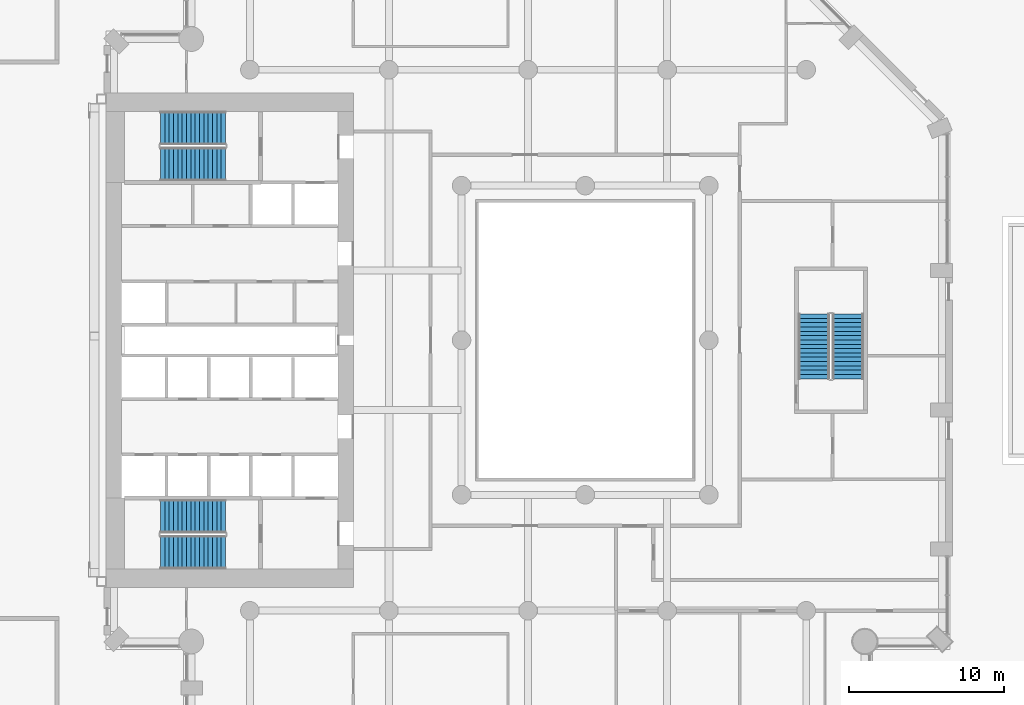
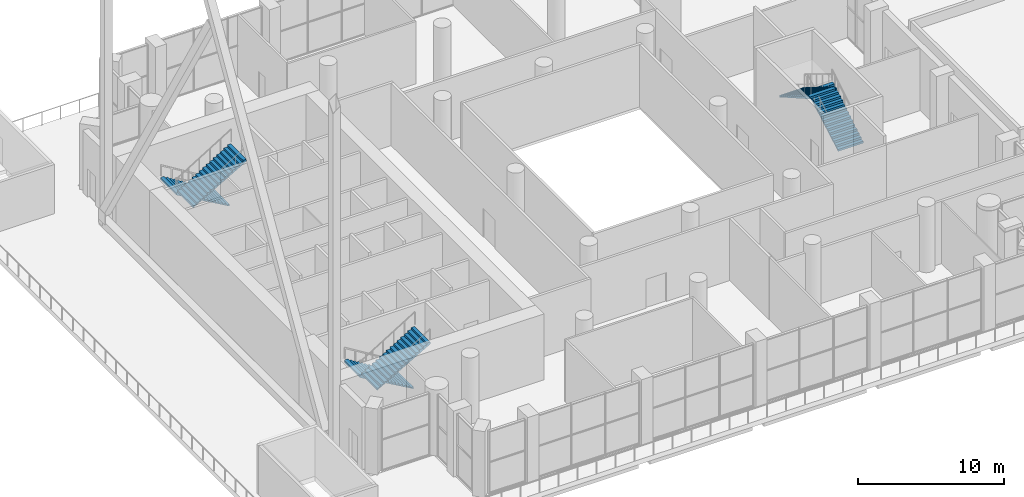
# One storey, part 20 of 26: 6 stair flights, 3 elements without a shape of their own.
"""IFC4 building model written with IfcOpenShell, lengths in metres."""

from ifc_helpers import new_model, si_unit, direction, frame, origin, place, context, subcontext, project, spatial, triangles, material, type_object, element, aggregate, save


model = new_model("IFC4")

# Units and contexts
model_context = context("Model", 3, precision=1e-05, world=origin(), true_north=direction((0.0, 1.0)))
body_context = subcontext(model_context, "Body", "Model", "MODEL_VIEW")
ifc_project = project(units=[si_unit("LENGTHUNIT", "METRE"), si_unit("AREAUNIT", "SQUARE_METRE"), si_unit("VOLUMEUNIT", "CUBIC_METRE"), si_unit("PLANEANGLEUNIT", "RADIAN"), si_unit("MASSUNIT", "GRAM", prefix="KILO")], contexts=[model_context])

# Site, building, storey
site_placement = place(None, origin())
site = spatial("IfcSite", under=ifc_project, at=site_placement, CompositionType="ELEMENT")
building_placement = place(site_placement, origin())
building = spatial("IfcBuilding", under=site, at=building_placement, Name="Cypress Arch Tower", CompositionType="ELEMENT")
storey_placement = place(building_placement, frame((0.0, 0.0, 50.0)))
storey = spatial("IfcBuildingStorey", under=building, at=storey_placement, Name="L06", CompositionType="ELEMENT", Elevation=50.0)

# Stair, stair flights
ifc_material_1 = material(Name="Concrete C40/50", Category="concrete")
stair_type_1 = type_object("IfcStairType", Name="Exit stair ES1719-200", PredefinedType="HALF_TURN_STAIR", material=ifc_material_1)
stair_1_placement = place(storey_placement, origin())
stair_1 = element("IfcStair", 1, at=stair_1_placement, inside=storey, type_object=stair_type_1, Name="L06 Exit stair C", PredefinedType="HALF_TURN_STAIR")
ifc_material_2 = material(Name="Concrete C40/50", Category="concrete")
stair_flight_type_1 = type_object("IfcStairFlightType", Name="Exit stair flight ES1719-200", PredefinedType="STRAIGHT", material=ifc_material_2)
stair_flight_1_placement = place(storey_placement, frame((18.0, -2.5, 0.0), z_axis=(0.0, 0.0, 1.0), x_axis=(0.0, 1.0, 0.0)))
stair_flight_1 = element("IfcStairFlight", 2, at=stair_flight_1_placement, type_object=stair_flight_type_1, Name="C flight 1", NumberOfRisers=16, NumberOfTreads=15, PredefinedType="STRAIGHT", RiserHeight=0.171875, TreadLength=0.28, context=body_context, shape_type="Tessellation", body=[
    triangles([(0.0, -1.0, 0.0), (0.0, -1.0, 0.171875), (0.280029296875, -1.0, 0.171875), (0.280029296875, -1.0, 0.34375), (0.56005859375, -1.0, 0.34375), (0.56005859375, -1.0, 0.515625), (0.840087890625, -1.0, 0.515625), (0.840087890625, -1.0, 0.6875), (1.1201171875, -1.0, 0.6875), (1.1201171875, -1.0, 0.859375), (1.39990234375, -1.0, 0.859375), (1.39990234375, -1.0, 1.03125), (1.679931640625, -1.0, 1.03125), (1.679931640625, -1.0, 1.203125), (1.9599609375, -1.0, 1.203125), (1.9599609375, -1.0, 1.375), (2.239990234375, -1.0, 1.375), (2.239990234375, -1.0, 1.546875), (2.52001953125, -1.0, 1.546875), (2.52001953125, -1.0, 1.71875), (2.800048828125, -1.0, 1.71875), (2.800048828125, -1.0, 1.890625), (3.080078125, -1.0, 1.890625), (3.080078125, -1.0, 2.0625), (3.360107421875, -1.0, 2.0625), (3.360107421875, -1.0, 2.234375), (3.639892578125, -1.0, 2.234375), (3.639892578125, -1.0, 2.40625), (3.919921875, -1.0, 2.40625), (3.919921875, -1.0, 2.578125), (4.199951171875, -1.0, 2.578125), (4.199951171875, -1.0, 2.40234375), (4.199951171875, 1.0, 2.40234375), (4.199951171875, 1.0, 2.578125), (3.919921875, 1.0, 2.578125), (3.919921875, 1.0, 2.40625), (3.639892578125, 1.0, 2.40625), (3.639892578125, 1.0, 2.234375), (3.360107421875, 1.0, 2.234375), (3.360107421875, 1.0, 2.0625), (3.080078125, 1.0, 2.0625), (3.080078125, 1.0, 1.890625), (2.800048828125, 1.0, 1.890625), (2.800048828125, 1.0, 1.71875), (2.52001953125, 1.0, 1.71875), (2.52001953125, 1.0, 1.546875), (2.239990234375, 1.0, 1.546875), (2.239990234375, 1.0, 1.375), (1.9599609375, 1.0, 1.375), (1.9599609375, 1.0, 1.203125), (1.679931640625, 1.0, 1.203125), (1.679931640625, 1.0, 1.03125), (1.39990234375, 1.0, 1.03125), (1.39990234375, 1.0, 0.859375), (1.1201171875, 1.0, 0.859375), (1.1201171875, 1.0, 0.6875), (0.840087890625, 1.0, 0.6875), (0.840087890625, 1.0, 0.515625), (0.56005859375, 1.0, 0.515625), (0.56005859375, 1.0, 0.34375), (0.280029296875, 1.0, 0.34375), (0.280029296875, 1.0, 0.171875), (0.0, 1.0, 0.171875), (0.0, 1.0, 0.0)], [[32, 31, 30], [27, 26, 25], [11, 10, 9], [29, 28, 27], [25, 24, 23], [23, 22, 21], [21, 20, 19], [19, 18, 17], [17, 16, 15], [15, 14, 13], [13, 12, 11], [9, 8, 7], [7, 6, 5], [5, 4, 3], [3, 2, 1], [32, 30, 29], [32, 29, 27], [32, 27, 25], [32, 25, 23], [32, 23, 21], [32, 21, 19], [32, 19, 17], [32, 17, 15], [32, 15, 13], [32, 13, 11], [32, 11, 9], [32, 9, 7], [32, 7, 5], [32, 5, 3], [32, 3, 1], [33, 35, 34], [38, 40, 39], [54, 56, 55], [36, 38, 37], [40, 42, 41], [42, 44, 43], [44, 46, 45], [46, 48, 47], [48, 50, 49], [50, 52, 51], [52, 54, 53], [56, 58, 57], [58, 60, 59], [60, 62, 61], [62, 64, 63], [33, 36, 35], [33, 38, 36], [33, 40, 38], [33, 42, 40], [33, 44, 42], [33, 46, 44], [33, 48, 46], [33, 50, 48], [33, 52, 50], [33, 54, 52], [33, 56, 54], [33, 58, 56], [33, 60, 58], [33, 62, 60], [33, 64, 62], [33, 34, 31], [33, 31, 32], [34, 35, 30], [34, 30, 31], [35, 36, 29], [35, 29, 30], [36, 37, 28], [36, 28, 29], [37, 38, 27], [37, 27, 28], [38, 39, 26], [38, 26, 27], [39, 40, 25], [39, 25, 26], [40, 41, 24], [40, 24, 25], [41, 42, 23], [41, 23, 24], [42, 43, 22], [42, 22, 23], [43, 44, 21], [43, 21, 22], [44, 45, 20], [44, 20, 21], [45, 46, 19], [45, 19, 20], [46, 47, 18], [46, 18, 19], [47, 48, 17], [47, 17, 18], [48, 49, 16], [48, 16, 17], [49, 50, 15], [49, 15, 16], [50, 51, 14], [50, 14, 15], [51, 52, 13], [51, 13, 14], [52, 53, 12], [52, 12, 13], [53, 54, 11], [53, 11, 12], [54, 55, 10], [54, 10, 11], [55, 56, 9], [55, 9, 10], [56, 57, 8], [56, 8, 9], [57, 58, 7], [57, 7, 8], [58, 59, 6], [58, 6, 7], [59, 60, 5], [59, 5, 6], [60, 61, 4], [60, 4, 5], [61, 62, 3], [61, 3, 4], [62, 63, 2], [62, 2, 3], [63, 64, 1], [63, 1, 2], [64, 33, 32], [64, 32, 1]], closed=True),
])
stair_flight_2_placement = place(storey_placement, frame((15.800048828125, 1.699951171875, 2.75), z_axis=(0.0, 0.0, 1.0), x_axis=(0.0, -1.0, 0.0)))
stair_flight_2 = element("IfcStairFlight", 3, at=stair_flight_2_placement, type_object=stair_flight_type_1, Name="C flight 2", NumberOfRisers=16, NumberOfTreads=15, PredefinedType="STRAIGHT", RiserHeight=0.171875, TreadLength=0.28, context=body_context, shape_type="Tessellation", body=[
    triangles([(0.0, -1.0, 0.0), (0.0, -1.0, 0.171875), (0.280029296875, -1.0, 0.171875), (0.280029296875, -1.0, 0.34375), (0.56005859375, -1.0, 0.34375), (0.56005859375, -1.0, 0.515625), (0.840087890625, -1.0, 0.515625), (0.840087890625, -1.0, 0.6875), (1.1201171875, -1.0, 0.6875), (1.1201171875, -1.0, 0.859375), (1.39990234375, -1.0, 0.859375), (1.39990234375, -1.0, 1.03125), (1.679931640625, -1.0, 1.03125), (1.679931640625, -1.0, 1.203125), (1.9599609375, -1.0, 1.203125), (1.9599609375, -1.0, 1.375), (2.239990234375, -1.0, 1.375), (2.239990234375, -1.0, 1.546875), (2.52001953125, -1.0, 1.546875), (2.52001953125, -1.0, 1.71875), (2.800048828125, -1.0, 1.71875), (2.800048828125, -1.0, 1.890625), (3.080078125, -1.0, 1.890625), (3.080078125, -1.0, 2.0625), (3.360107421875, -1.0, 2.0625), (3.360107421875, -1.0, 2.234375), (3.639892578125, -1.0, 2.234375), (3.639892578125, -1.0, 2.40625), (3.919921875, -1.0, 2.40625), (3.919921875, -1.0, 2.578125), (4.199951171875, -1.0, 2.578125), (4.199951171875, -1.0, 2.40234375), (4.199951171875, 1.0, 2.40234375), (4.199951171875, 1.0, 2.578125), (3.919921875, 1.0, 2.578125), (3.919921875, 1.0, 2.40625), (3.639892578125, 1.0, 2.40625), (3.639892578125, 1.0, 2.234375), (3.360107421875, 1.0, 2.234375), (3.360107421875, 1.0, 2.0625), (3.080078125, 1.0, 2.0625), (3.080078125, 1.0, 1.890625), (2.800048828125, 1.0, 1.890625), (2.800048828125, 1.0, 1.71875), (2.52001953125, 1.0, 1.71875), (2.52001953125, 1.0, 1.546875), (2.239990234375, 1.0, 1.546875), (2.239990234375, 1.0, 1.375), (1.9599609375, 1.0, 1.375), (1.9599609375, 1.0, 1.203125), (1.679931640625, 1.0, 1.203125), (1.679931640625, 1.0, 1.03125), (1.39990234375, 1.0, 1.03125), (1.39990234375, 1.0, 0.859375), (1.1201171875, 1.0, 0.859375), (1.1201171875, 1.0, 0.6875), (0.840087890625, 1.0, 0.6875), (0.840087890625, 1.0, 0.515625), (0.56005859375, 1.0, 0.515625), (0.56005859375, 1.0, 0.34375), (0.280029296875, 1.0, 0.34375), (0.280029296875, 1.0, 0.171875), (0.0, 1.0, 0.171875), (0.0, 1.0, 0.0)], [[32, 31, 30], [27, 26, 25], [11, 10, 9], [29, 28, 27], [25, 24, 23], [23, 22, 21], [21, 20, 19], [19, 18, 17], [17, 16, 15], [15, 14, 13], [13, 12, 11], [9, 8, 7], [7, 6, 5], [5, 4, 3], [3, 2, 1], [32, 30, 29], [32, 29, 27], [32, 27, 25], [32, 25, 23], [32, 23, 21], [32, 21, 19], [32, 19, 17], [32, 17, 15], [32, 15, 13], [32, 13, 11], [32, 11, 9], [32, 9, 7], [32, 7, 5], [32, 5, 3], [32, 3, 1], [33, 35, 34], [38, 40, 39], [54, 56, 55], [36, 38, 37], [40, 42, 41], [42, 44, 43], [44, 46, 45], [46, 48, 47], [48, 50, 49], [50, 52, 51], [52, 54, 53], [56, 58, 57], [58, 60, 59], [60, 62, 61], [62, 64, 63], [33, 36, 35], [33, 38, 36], [33, 40, 38], [33, 42, 40], [33, 44, 42], [33, 46, 44], [33, 48, 46], [33, 50, 48], [33, 52, 50], [33, 54, 52], [33, 56, 54], [33, 58, 56], [33, 60, 58], [33, 62, 60], [33, 64, 62], [33, 34, 31], [33, 31, 32], [34, 35, 30], [34, 30, 31], [35, 36, 29], [35, 29, 30], [36, 37, 28], [36, 28, 29], [37, 38, 27], [37, 27, 28], [38, 39, 26], [38, 26, 27], [39, 40, 25], [39, 25, 26], [40, 41, 24], [40, 24, 25], [41, 42, 23], [41, 23, 24], [42, 43, 22], [42, 22, 23], [43, 44, 21], [43, 21, 22], [44, 45, 20], [44, 20, 21], [45, 46, 19], [45, 19, 20], [46, 47, 18], [46, 18, 19], [47, 48, 17], [47, 17, 18], [48, 49, 16], [48, 16, 17], [49, 50, 15], [49, 15, 16], [50, 51, 14], [50, 14, 15], [51, 52, 13], [51, 13, 14], [52, 53, 12], [52, 12, 13], [53, 54, 11], [53, 11, 12], [54, 55, 10], [54, 10, 11], [55, 56, 9], [55, 9, 10], [56, 57, 8], [56, 8, 9], [57, 58, 7], [57, 7, 8], [58, 59, 6], [58, 6, 7], [59, 60, 5], [59, 5, 6], [60, 61, 4], [60, 4, 5], [61, 62, 3], [61, 3, 4], [62, 63, 2], [62, 2, 3], [63, 64, 1], [63, 1, 2], [64, 33, 32], [64, 32, 1]], closed=True),
])
aggregate(stair_1, [stair_flight_1, stair_flight_2])

ifc_material_3 = material(Name="Concrete C40/50", Category="concrete")
stair_type_2 = type_object("IfcStairType", Name="Exit stair ES1719-215", PredefinedType="HALF_TURN_STAIR", material=ifc_material_3)
stair_2_placement = place(storey_placement, origin())
stair_2 = element("IfcStair", 4, at=stair_2_placement, inside=storey, type_object=stair_type_2, Name="L06 Exit stair A", PredefinedType="HALF_TURN_STAIR")
ifc_material_4 = material(Name="Concrete C40/50", Category="concrete")
stair_flight_type_2 = type_object("IfcStairFlightType", Name="Exit stair flight ES1719-215", PredefinedType="STRAIGHT", material=ifc_material_4)
stair_flight_3_placement = place(storey_placement, frame((-22.27490234375, -11.39990234375, 0.0), z_axis=(0.0, 0.0, 1.0), x_axis=(-1.0, 0.0, 0.0)))
stair_flight_3 = element("IfcStairFlight", 5, at=stair_flight_3_placement, type_object=stair_flight_type_2, Name="A flight 1", NumberOfRisers=16, NumberOfTreads=15, PredefinedType="STRAIGHT", RiserHeight=0.171875, TreadLength=0.28, context=body_context, shape_type="Tessellation", body=[
    triangles([(0.0, -1.074951171875, 0.0), (0.0, -1.074951171875, 0.171875), (0.280029296875, -1.074951171875, 0.171875), (0.280029296875, -1.074951171875, 0.34375), (0.56005859375, -1.074951171875, 0.34375), (0.56005859375, -1.074951171875, 0.515625), (0.840087890625, -1.074951171875, 0.515625), (0.840087890625, -1.074951171875, 0.6875), (1.1201171875, -1.074951171875, 0.6875), (1.1201171875, -1.074951171875, 0.859375), (1.39990234375, -1.074951171875, 0.859375), (1.39990234375, -1.074951171875, 1.03125), (1.679931640625, -1.074951171875, 1.03125), (1.679931640625, -1.074951171875, 1.203125), (1.9599609375, -1.074951171875, 1.203125), (1.9599609375, -1.074951171875, 1.375), (2.239990234375, -1.074951171875, 1.375), (2.239990234375, -1.074951171875, 1.546875), (2.52001953125, -1.074951171875, 1.546875), (2.52001953125, -1.074951171875, 1.71875), (2.800048828125, -1.074951171875, 1.71875), (2.800048828125, -1.074951171875, 1.890625), (3.080078125, -1.074951171875, 1.890625), (3.080078125, -1.074951171875, 2.0625), (3.360107421875, -1.074951171875, 2.0625), (3.360107421875, -1.074951171875, 2.234375), (3.639892578125, -1.074951171875, 2.234375), (3.639892578125, -1.074951171875, 2.40625), (3.919921875, -1.074951171875, 2.40625), (3.919921875, -1.074951171875, 2.578125), (4.199951171875, -1.074951171875, 2.578125), (4.199951171875, -1.074951171875, 2.40234375), (4.199951171875, 1.074951171875, 2.40234375), (4.199951171875, 1.074951171875, 2.578125), (3.919921875, 1.074951171875, 2.578125), (3.919921875, 1.074951171875, 2.40625), (3.639892578125, 1.074951171875, 2.40625), (3.639892578125, 1.074951171875, 2.234375), (3.360107421875, 1.074951171875, 2.234375), (3.360107421875, 1.074951171875, 2.0625), (3.080078125, 1.074951171875, 2.0625), (3.080078125, 1.074951171875, 1.890625), (2.800048828125, 1.074951171875, 1.890625), (2.800048828125, 1.074951171875, 1.71875), (2.52001953125, 1.074951171875, 1.71875), (2.52001953125, 1.074951171875, 1.546875), (2.239990234375, 1.074951171875, 1.546875), (2.239990234375, 1.074951171875, 1.375), (1.9599609375, 1.074951171875, 1.375), (1.9599609375, 1.074951171875, 1.203125), (1.679931640625, 1.074951171875, 1.203125), (1.679931640625, 1.074951171875, 1.03125), (1.39990234375, 1.074951171875, 1.03125), (1.39990234375, 1.074951171875, 0.859375), (1.1201171875, 1.074951171875, 0.859375), (1.1201171875, 1.074951171875, 0.6875), (0.840087890625, 1.074951171875, 0.6875), (0.840087890625, 1.074951171875, 0.515625), (0.56005859375, 1.074951171875, 0.515625), (0.56005859375, 1.074951171875, 0.34375), (0.280029296875, 1.074951171875, 0.34375), (0.280029296875, 1.074951171875, 0.171875), (0.0, 1.074951171875, 0.171875), (0.0, 1.074951171875, 0.0)], [[32, 31, 30], [27, 26, 25], [11, 10, 9], [29, 28, 27], [25, 24, 23], [23, 22, 21], [21, 20, 19], [19, 18, 17], [17, 16, 15], [15, 14, 13], [13, 12, 11], [9, 8, 7], [7, 6, 5], [5, 4, 3], [3, 2, 1], [32, 30, 29], [32, 29, 27], [32, 27, 25], [32, 25, 23], [32, 23, 21], [32, 21, 19], [32, 19, 17], [32, 17, 15], [32, 15, 13], [32, 13, 11], [32, 11, 9], [32, 9, 7], [32, 7, 5], [32, 5, 3], [32, 3, 1], [33, 35, 34], [38, 40, 39], [54, 56, 55], [36, 38, 37], [40, 42, 41], [42, 44, 43], [44, 46, 45], [46, 48, 47], [48, 50, 49], [50, 52, 51], [52, 54, 53], [56, 58, 57], [58, 60, 59], [60, 62, 61], [62, 64, 63], [33, 36, 35], [33, 38, 36], [33, 40, 38], [33, 42, 40], [33, 44, 42], [33, 46, 44], [33, 48, 46], [33, 50, 48], [33, 52, 50], [33, 54, 52], [33, 56, 54], [33, 58, 56], [33, 60, 58], [33, 62, 60], [33, 64, 62], [33, 34, 31], [33, 31, 32], [34, 35, 30], [34, 30, 31], [35, 36, 29], [35, 29, 30], [36, 37, 28], [36, 28, 29], [37, 38, 27], [37, 27, 28], [38, 39, 26], [38, 26, 27], [39, 40, 25], [39, 25, 26], [40, 41, 24], [40, 24, 25], [41, 42, 23], [41, 23, 24], [42, 43, 22], [42, 22, 23], [43, 44, 21], [43, 21, 22], [44, 45, 20], [44, 20, 21], [45, 46, 19], [45, 19, 20], [46, 47, 18], [46, 18, 19], [47, 48, 17], [47, 17, 18], [48, 49, 16], [48, 16, 17], [49, 50, 15], [49, 15, 16], [50, 51, 14], [50, 14, 15], [51, 52, 13], [51, 13, 14], [52, 53, 12], [52, 12, 13], [53, 54, 11], [53, 11, 12], [54, 55, 10], [54, 10, 11], [55, 56, 9], [55, 9, 10], [56, 57, 8], [56, 8, 9], [57, 58, 7], [57, 7, 8], [58, 59, 6], [58, 6, 7], [59, 60, 5], [59, 5, 6], [60, 61, 4], [60, 4, 5], [61, 62, 3], [61, 3, 4], [62, 63, 2], [62, 2, 3], [63, 64, 1], [63, 1, 2], [64, 33, 32], [64, 32, 1]], closed=True),
])
stair_flight_4_placement = place(storey_placement, frame((-26.47509765625, -13.72509765625, 2.75), z_axis=(0.0, 0.0, 1.0), x_axis=(1.0, 0.0, 0.0)))
stair_flight_4 = element("IfcStairFlight", 6, at=stair_flight_4_placement, type_object=stair_flight_type_2, Name="A flight 2", NumberOfRisers=16, NumberOfTreads=15, PredefinedType="STRAIGHT", RiserHeight=0.171875, TreadLength=0.28, context=body_context, shape_type="Tessellation", body=[
    triangles([(0.0, -1.074951171875, 0.0), (0.0, -1.074951171875, 0.171875), (0.280029296875, -1.074951171875, 0.171875), (0.280029296875, -1.074951171875, 0.34375), (0.56005859375, -1.074951171875, 0.34375), (0.56005859375, -1.074951171875, 0.515625), (0.840087890625, -1.074951171875, 0.515625), (0.840087890625, -1.074951171875, 0.6875), (1.1201171875, -1.074951171875, 0.6875), (1.1201171875, -1.074951171875, 0.859375), (1.39990234375, -1.074951171875, 0.859375), (1.39990234375, -1.074951171875, 1.03125), (1.679931640625, -1.074951171875, 1.03125), (1.679931640625, -1.074951171875, 1.203125), (1.9599609375, -1.074951171875, 1.203125), (1.9599609375, -1.074951171875, 1.375), (2.239990234375, -1.074951171875, 1.375), (2.239990234375, -1.074951171875, 1.546875), (2.52001953125, -1.074951171875, 1.546875), (2.52001953125, -1.074951171875, 1.71875), (2.800048828125, -1.074951171875, 1.71875), (2.800048828125, -1.074951171875, 1.890625), (3.080078125, -1.074951171875, 1.890625), (3.080078125, -1.074951171875, 2.0625), (3.360107421875, -1.074951171875, 2.0625), (3.360107421875, -1.074951171875, 2.234375), (3.639892578125, -1.074951171875, 2.234375), (3.639892578125, -1.074951171875, 2.40625), (3.919921875, -1.074951171875, 2.40625), (3.919921875, -1.074951171875, 2.578125), (4.199951171875, -1.074951171875, 2.578125), (4.199951171875, -1.074951171875, 2.40234375), (4.199951171875, 1.074951171875, 2.40234375), (4.199951171875, 1.074951171875, 2.578125), (3.919921875, 1.074951171875, 2.578125), (3.919921875, 1.074951171875, 2.40625), (3.639892578125, 1.074951171875, 2.40625), (3.639892578125, 1.074951171875, 2.234375), (3.360107421875, 1.074951171875, 2.234375), (3.360107421875, 1.074951171875, 2.0625), (3.080078125, 1.074951171875, 2.0625), (3.080078125, 1.074951171875, 1.890625), (2.800048828125, 1.074951171875, 1.890625), (2.800048828125, 1.074951171875, 1.71875), (2.52001953125, 1.074951171875, 1.71875), (2.52001953125, 1.074951171875, 1.546875), (2.239990234375, 1.074951171875, 1.546875), (2.239990234375, 1.074951171875, 1.375), (1.9599609375, 1.074951171875, 1.375), (1.9599609375, 1.074951171875, 1.203125), (1.679931640625, 1.074951171875, 1.203125), (1.679931640625, 1.074951171875, 1.03125), (1.39990234375, 1.074951171875, 1.03125), (1.39990234375, 1.074951171875, 0.859375), (1.1201171875, 1.074951171875, 0.859375), (1.1201171875, 1.074951171875, 0.6875), (0.840087890625, 1.074951171875, 0.6875), (0.840087890625, 1.074951171875, 0.515625), (0.56005859375, 1.074951171875, 0.515625), (0.56005859375, 1.074951171875, 0.34375), (0.280029296875, 1.074951171875, 0.34375), (0.280029296875, 1.074951171875, 0.171875), (0.0, 1.074951171875, 0.171875), (0.0, 1.074951171875, 0.0)], [[32, 31, 30], [27, 26, 25], [11, 10, 9], [29, 28, 27], [25, 24, 23], [23, 22, 21], [21, 20, 19], [19, 18, 17], [17, 16, 15], [15, 14, 13], [13, 12, 11], [9, 8, 7], [7, 6, 5], [5, 4, 3], [3, 2, 1], [32, 30, 29], [32, 29, 27], [32, 27, 25], [32, 25, 23], [32, 23, 21], [32, 21, 19], [32, 19, 17], [32, 17, 15], [32, 15, 13], [32, 13, 11], [32, 11, 9], [32, 9, 7], [32, 7, 5], [32, 5, 3], [32, 3, 1], [33, 35, 34], [38, 40, 39], [54, 56, 55], [36, 38, 37], [40, 42, 41], [42, 44, 43], [44, 46, 45], [46, 48, 47], [48, 50, 49], [50, 52, 51], [52, 54, 53], [56, 58, 57], [58, 60, 59], [60, 62, 61], [62, 64, 63], [33, 36, 35], [33, 38, 36], [33, 40, 38], [33, 42, 40], [33, 44, 42], [33, 46, 44], [33, 48, 46], [33, 50, 48], [33, 52, 50], [33, 54, 52], [33, 56, 54], [33, 58, 56], [33, 60, 58], [33, 62, 60], [33, 64, 62], [33, 34, 31], [33, 31, 32], [34, 35, 30], [34, 30, 31], [35, 36, 29], [35, 29, 30], [36, 37, 28], [36, 28, 29], [37, 38, 27], [37, 27, 28], [38, 39, 26], [38, 26, 27], [39, 40, 25], [39, 25, 26], [40, 41, 24], [40, 24, 25], [41, 42, 23], [41, 23, 24], [42, 43, 22], [42, 22, 23], [43, 44, 21], [43, 21, 22], [44, 45, 20], [44, 20, 21], [45, 46, 19], [45, 19, 20], [46, 47, 18], [46, 18, 19], [47, 48, 17], [47, 17, 18], [48, 49, 16], [48, 16, 17], [49, 50, 15], [49, 15, 16], [50, 51, 14], [50, 14, 15], [51, 52, 13], [51, 13, 14], [52, 53, 12], [52, 12, 13], [53, 54, 11], [53, 11, 12], [54, 55, 10], [54, 10, 11], [55, 56, 9], [55, 9, 10], [56, 57, 8], [56, 8, 9], [57, 58, 7], [57, 7, 8], [58, 59, 6], [58, 6, 7], [59, 60, 5], [59, 5, 6], [60, 61, 4], [60, 4, 5], [61, 62, 3], [61, 3, 4], [62, 63, 2], [62, 2, 3], [63, 64, 1], [63, 1, 2], [64, 33, 32], [64, 32, 1]], closed=True),
])
aggregate(stair_2, [stair_flight_3, stair_flight_4])

stair_3_placement = place(storey_placement, origin())
stair_3 = element("IfcStair", 7, at=stair_3_placement, inside=storey, type_object=stair_type_2, Name="L06 Exit stair B", PredefinedType="HALF_TURN_STAIR")
stair_flight_5_placement = place(storey_placement, frame((-22.27490234375, 13.72509765625, 0.0), z_axis=(0.0, 0.0, 1.0), x_axis=(-1.0, 0.0, 0.0)))
stair_flight_5 = element("IfcStairFlight", 8, at=stair_flight_5_placement, type_object=stair_flight_type_2, Name="B flight 1", NumberOfRisers=16, NumberOfTreads=15, PredefinedType="STRAIGHT", RiserHeight=0.171875, TreadLength=0.28, context=body_context, shape_type="Tessellation", body=[
    triangles([(0.0, -1.074951171875, 0.0), (0.0, -1.074951171875, 0.171875), (0.280029296875, -1.074951171875, 0.171875), (0.280029296875, -1.074951171875, 0.34375), (0.56005859375, -1.074951171875, 0.34375), (0.56005859375, -1.074951171875, 0.515625), (0.840087890625, -1.074951171875, 0.515625), (0.840087890625, -1.074951171875, 0.6875), (1.1201171875, -1.074951171875, 0.6875), (1.1201171875, -1.074951171875, 0.859375), (1.39990234375, -1.074951171875, 0.859375), (1.39990234375, -1.074951171875, 1.03125), (1.679931640625, -1.074951171875, 1.03125), (1.679931640625, -1.074951171875, 1.203125), (1.9599609375, -1.074951171875, 1.203125), (1.9599609375, -1.074951171875, 1.375), (2.239990234375, -1.074951171875, 1.375), (2.239990234375, -1.074951171875, 1.546875), (2.52001953125, -1.074951171875, 1.546875), (2.52001953125, -1.074951171875, 1.71875), (2.800048828125, -1.074951171875, 1.71875), (2.800048828125, -1.074951171875, 1.890625), (3.080078125, -1.074951171875, 1.890625), (3.080078125, -1.074951171875, 2.0625), (3.360107421875, -1.074951171875, 2.0625), (3.360107421875, -1.074951171875, 2.234375), (3.639892578125, -1.074951171875, 2.234375), (3.639892578125, -1.074951171875, 2.40625), (3.919921875, -1.074951171875, 2.40625), (3.919921875, -1.074951171875, 2.578125), (4.199951171875, -1.074951171875, 2.578125), (4.199951171875, -1.074951171875, 2.40234375), (4.199951171875, 1.074951171875, 2.40234375), (4.199951171875, 1.074951171875, 2.578125), (3.919921875, 1.074951171875, 2.578125), (3.919921875, 1.074951171875, 2.40625), (3.639892578125, 1.074951171875, 2.40625), (3.639892578125, 1.074951171875, 2.234375), (3.360107421875, 1.074951171875, 2.234375), (3.360107421875, 1.074951171875, 2.0625), (3.080078125, 1.074951171875, 2.0625), (3.080078125, 1.074951171875, 1.890625), (2.800048828125, 1.074951171875, 1.890625), (2.800048828125, 1.074951171875, 1.71875), (2.52001953125, 1.074951171875, 1.71875), (2.52001953125, 1.074951171875, 1.546875), (2.239990234375, 1.074951171875, 1.546875), (2.239990234375, 1.074951171875, 1.375), (1.9599609375, 1.074951171875, 1.375), (1.9599609375, 1.074951171875, 1.203125), (1.679931640625, 1.074951171875, 1.203125), (1.679931640625, 1.074951171875, 1.03125), (1.39990234375, 1.074951171875, 1.03125), (1.39990234375, 1.074951171875, 0.859375), (1.1201171875, 1.074951171875, 0.859375), (1.1201171875, 1.074951171875, 0.6875), (0.840087890625, 1.074951171875, 0.6875), (0.840087890625, 1.074951171875, 0.515625), (0.56005859375, 1.074951171875, 0.515625), (0.56005859375, 1.074951171875, 0.34375), (0.280029296875, 1.074951171875, 0.34375), (0.280029296875, 1.074951171875, 0.171875), (0.0, 1.074951171875, 0.171875), (0.0, 1.074951171875, 0.0)], [[32, 31, 30], [27, 26, 25], [11, 10, 9], [29, 28, 27], [25, 24, 23], [23, 22, 21], [21, 20, 19], [19, 18, 17], [17, 16, 15], [15, 14, 13], [13, 12, 11], [9, 8, 7], [7, 6, 5], [5, 4, 3], [3, 2, 1], [32, 30, 29], [32, 29, 27], [32, 27, 25], [32, 25, 23], [32, 23, 21], [32, 21, 19], [32, 19, 17], [32, 17, 15], [32, 15, 13], [32, 13, 11], [32, 11, 9], [32, 9, 7], [32, 7, 5], [32, 5, 3], [32, 3, 1], [33, 35, 34], [38, 40, 39], [54, 56, 55], [36, 38, 37], [40, 42, 41], [42, 44, 43], [44, 46, 45], [46, 48, 47], [48, 50, 49], [50, 52, 51], [52, 54, 53], [56, 58, 57], [58, 60, 59], [60, 62, 61], [62, 64, 63], [33, 36, 35], [33, 38, 36], [33, 40, 38], [33, 42, 40], [33, 44, 42], [33, 46, 44], [33, 48, 46], [33, 50, 48], [33, 52, 50], [33, 54, 52], [33, 56, 54], [33, 58, 56], [33, 60, 58], [33, 62, 60], [33, 64, 62], [33, 34, 31], [33, 31, 32], [34, 35, 30], [34, 30, 31], [35, 36, 29], [35, 29, 30], [36, 37, 28], [36, 28, 29], [37, 38, 27], [37, 27, 28], [38, 39, 26], [38, 26, 27], [39, 40, 25], [39, 25, 26], [40, 41, 24], [40, 24, 25], [41, 42, 23], [41, 23, 24], [42, 43, 22], [42, 22, 23], [43, 44, 21], [43, 21, 22], [44, 45, 20], [44, 20, 21], [45, 46, 19], [45, 19, 20], [46, 47, 18], [46, 18, 19], [47, 48, 17], [47, 17, 18], [48, 49, 16], [48, 16, 17], [49, 50, 15], [49, 15, 16], [50, 51, 14], [50, 14, 15], [51, 52, 13], [51, 13, 14], [52, 53, 12], [52, 12, 13], [53, 54, 11], [53, 11, 12], [54, 55, 10], [54, 10, 11], [55, 56, 9], [55, 9, 10], [56, 57, 8], [56, 8, 9], [57, 58, 7], [57, 7, 8], [58, 59, 6], [58, 6, 7], [59, 60, 5], [59, 5, 6], [60, 61, 4], [60, 4, 5], [61, 62, 3], [61, 3, 4], [62, 63, 2], [62, 2, 3], [63, 64, 1], [63, 1, 2], [64, 33, 32], [64, 32, 1]], closed=True),
])
stair_flight_6_placement = place(storey_placement, frame((-26.47509765625, 11.39990234375, 2.75), z_axis=(0.0, 0.0, 1.0), x_axis=(1.0, 0.0, 0.0)))
stair_flight_6 = element("IfcStairFlight", 9, at=stair_flight_6_placement, type_object=stair_flight_type_2, Name="B flight 2", NumberOfRisers=16, NumberOfTreads=15, PredefinedType="STRAIGHT", RiserHeight=0.171875, TreadLength=0.28, context=body_context, shape_type="Tessellation", body=[
    triangles([(0.0, -1.074951171875, 0.0), (0.0, -1.074951171875, 0.171875), (0.280029296875, -1.074951171875, 0.171875), (0.280029296875, -1.074951171875, 0.34375), (0.56005859375, -1.074951171875, 0.34375), (0.56005859375, -1.074951171875, 0.515625), (0.840087890625, -1.074951171875, 0.515625), (0.840087890625, -1.074951171875, 0.6875), (1.1201171875, -1.074951171875, 0.6875), (1.1201171875, -1.074951171875, 0.859375), (1.39990234375, -1.074951171875, 0.859375), (1.39990234375, -1.074951171875, 1.03125), (1.679931640625, -1.074951171875, 1.03125), (1.679931640625, -1.074951171875, 1.203125), (1.9599609375, -1.074951171875, 1.203125), (1.9599609375, -1.074951171875, 1.375), (2.239990234375, -1.074951171875, 1.375), (2.239990234375, -1.074951171875, 1.546875), (2.52001953125, -1.074951171875, 1.546875), (2.52001953125, -1.074951171875, 1.71875), (2.800048828125, -1.074951171875, 1.71875), (2.800048828125, -1.074951171875, 1.890625), (3.080078125, -1.074951171875, 1.890625), (3.080078125, -1.074951171875, 2.0625), (3.360107421875, -1.074951171875, 2.0625), (3.360107421875, -1.074951171875, 2.234375), (3.639892578125, -1.074951171875, 2.234375), (3.639892578125, -1.074951171875, 2.40625), (3.919921875, -1.074951171875, 2.40625), (3.919921875, -1.074951171875, 2.578125), (4.199951171875, -1.074951171875, 2.578125), (4.199951171875, -1.074951171875, 2.40234375), (4.199951171875, 1.074951171875, 2.40234375), (4.199951171875, 1.074951171875, 2.578125), (3.919921875, 1.074951171875, 2.578125), (3.919921875, 1.074951171875, 2.40625), (3.639892578125, 1.074951171875, 2.40625), (3.639892578125, 1.074951171875, 2.234375), (3.360107421875, 1.074951171875, 2.234375), (3.360107421875, 1.074951171875, 2.0625), (3.080078125, 1.074951171875, 2.0625), (3.080078125, 1.074951171875, 1.890625), (2.800048828125, 1.074951171875, 1.890625), (2.800048828125, 1.074951171875, 1.71875), (2.52001953125, 1.074951171875, 1.71875), (2.52001953125, 1.074951171875, 1.546875), (2.239990234375, 1.074951171875, 1.546875), (2.239990234375, 1.074951171875, 1.375), (1.9599609375, 1.074951171875, 1.375), (1.9599609375, 1.074951171875, 1.203125), (1.679931640625, 1.074951171875, 1.203125), (1.679931640625, 1.074951171875, 1.03125), (1.39990234375, 1.074951171875, 1.03125), (1.39990234375, 1.074951171875, 0.859375), (1.1201171875, 1.074951171875, 0.859375), (1.1201171875, 1.074951171875, 0.6875), (0.840087890625, 1.074951171875, 0.6875), (0.840087890625, 1.074951171875, 0.515625), (0.56005859375, 1.074951171875, 0.515625), (0.56005859375, 1.074951171875, 0.34375), (0.280029296875, 1.074951171875, 0.34375), (0.280029296875, 1.074951171875, 0.171875), (0.0, 1.074951171875, 0.171875), (0.0, 1.074951171875, 0.0)], [[32, 31, 30], [27, 26, 25], [11, 10, 9], [29, 28, 27], [25, 24, 23], [23, 22, 21], [21, 20, 19], [19, 18, 17], [17, 16, 15], [15, 14, 13], [13, 12, 11], [9, 8, 7], [7, 6, 5], [5, 4, 3], [3, 2, 1], [32, 30, 29], [32, 29, 27], [32, 27, 25], [32, 25, 23], [32, 23, 21], [32, 21, 19], [32, 19, 17], [32, 17, 15], [32, 15, 13], [32, 13, 11], [32, 11, 9], [32, 9, 7], [32, 7, 5], [32, 5, 3], [32, 3, 1], [33, 35, 34], [38, 40, 39], [54, 56, 55], [36, 38, 37], [40, 42, 41], [42, 44, 43], [44, 46, 45], [46, 48, 47], [48, 50, 49], [50, 52, 51], [52, 54, 53], [56, 58, 57], [58, 60, 59], [60, 62, 61], [62, 64, 63], [33, 36, 35], [33, 38, 36], [33, 40, 38], [33, 42, 40], [33, 44, 42], [33, 46, 44], [33, 48, 46], [33, 50, 48], [33, 52, 50], [33, 54, 52], [33, 56, 54], [33, 58, 56], [33, 60, 58], [33, 62, 60], [33, 64, 62], [33, 34, 31], [33, 31, 32], [34, 35, 30], [34, 30, 31], [35, 36, 29], [35, 29, 30], [36, 37, 28], [36, 28, 29], [37, 38, 27], [37, 27, 28], [38, 39, 26], [38, 26, 27], [39, 40, 25], [39, 25, 26], [40, 41, 24], [40, 24, 25], [41, 42, 23], [41, 23, 24], [42, 43, 22], [42, 22, 23], [43, 44, 21], [43, 21, 22], [44, 45, 20], [44, 20, 21], [45, 46, 19], [45, 19, 20], [46, 47, 18], [46, 18, 19], [47, 48, 17], [47, 17, 18], [48, 49, 16], [48, 16, 17], [49, 50, 15], [49, 15, 16], [50, 51, 14], [50, 14, 15], [51, 52, 13], [51, 13, 14], [52, 53, 12], [52, 12, 13], [53, 54, 11], [53, 11, 12], [54, 55, 10], [54, 10, 11], [55, 56, 9], [55, 9, 10], [56, 57, 8], [56, 8, 9], [57, 58, 7], [57, 7, 8], [58, 59, 6], [58, 6, 7], [59, 60, 5], [59, 5, 6], [60, 61, 4], [60, 4, 5], [61, 62, 3], [61, 3, 4], [62, 63, 2], [62, 2, 3], [63, 64, 1], [63, 1, 2], [64, 33, 32], [64, 32, 1]], closed=True),
])
aggregate(stair_3, [stair_flight_5, stair_flight_6])

save(model, "model.ifc")
